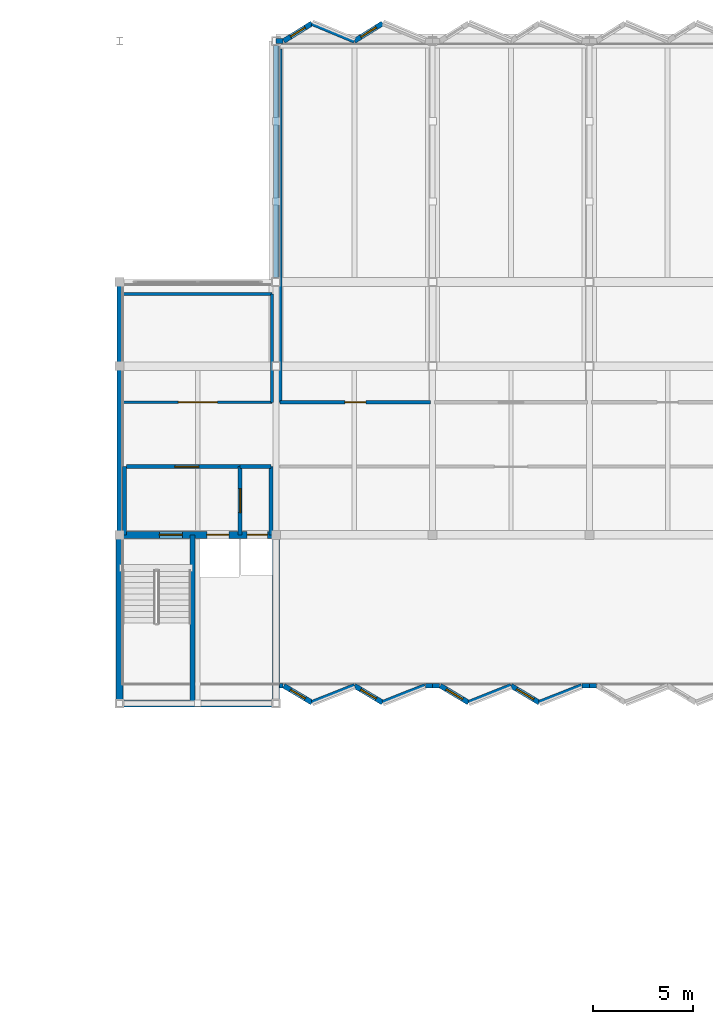
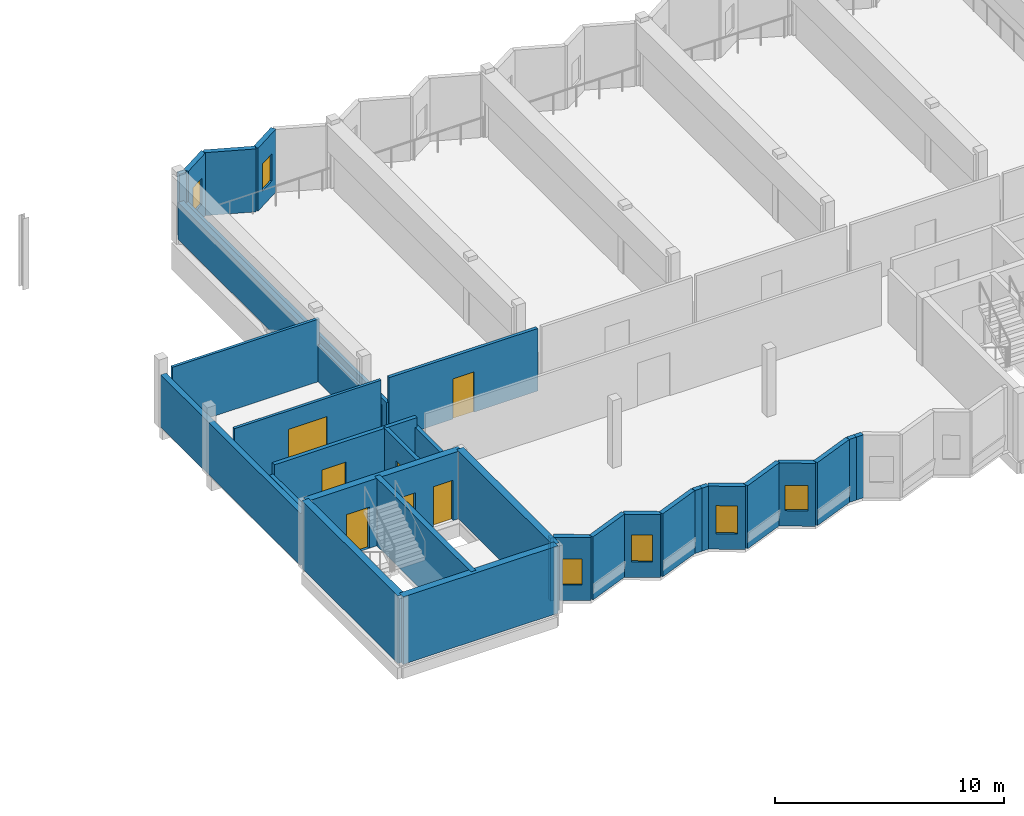
# One storey, part 25 of 34: 34 walls, 7 doors, 6 windows, 13 openings.
"""IFC4 building model written with IfcOpenShell, lengths in metres."""

import ifcopenshell
import ifcopenshell.guid

model = None  # the IFC model being written
_history = None  # IfcOwnerHistory: only IFC2X3 demands one
_inside = {}  # id of a spatial element -> (the spatial element, [elements in it])
_under = {}  # id of a project, library or spatial element -> (it, [spatial elements below it])
_declared = {}  # id of a project -> (the project, [libraries it declares])
_typed = {}  # id of a type object -> (the type object, [elements of that type])
_made_of = {}  # id of a material, layer set ... -> (it, [elements and type objects made of it])


def new_model(schema):
    """Start an empty IFC model of exactly this schema.

    Asked for "IFC4X3", IfcOpenShell would pick the latest addendum, in which some entities
    have other attributes; the version numbers below select the first issue.
    IFC2X3 requires an IfcOwnerHistory on every rooted entity: one is made here for all.
    """
    global model, _history
    if schema == "IFC4X3":
        model = ifcopenshell.file(schema_version=(4, 3, 0, 0))
    else:
        model = ifcopenshell.file(schema=schema)
    _inside.clear()
    _under.clear()
    _declared.clear()
    _typed.clear()
    _made_of.clear()
    _history = None
    if model.schema == "IFC2X3":
        org = make("IfcOrganization", Name="unknown")
        user = make(
            "IfcPersonAndOrganization",
            ThePerson=make("IfcPerson", FamilyName="unknown"),
            TheOrganization=org,
        )
        app = make(
            "IfcApplication",
            ApplicationDeveloper=org,
            Version="unknown",
            ApplicationFullName="unknown",
            ApplicationIdentifier="unknown",
        )
        _history = make(
            "IfcOwnerHistory",
            OwningUser=user,
            OwningApplication=app,
            ChangeAction="ADDED",
            CreationDate=0,
        )
    return model


def make(cls, **values):
    """One entity of the class cls with the attributes given. An attribute that is None is left unset."""
    return model.create_entity(
        cls, **{name: value for name, value in values.items() if value is not None}
    )


def rooted(cls, **values):
    """An entity with a GlobalId (a new one), such as an element, a storey or a relation."""
    return make(cls, GlobalId=ifcopenshell.guid.new(), OwnerHistory=_history, **values)


def si_unit(unit_type, name, prefix=None):
    """IfcSIUnit, for example si_unit("LENGTHUNIT", "METRE", prefix="MILLI")."""
    return make("IfcSIUnit", UnitType=unit_type, Prefix=prefix, Name=name)


def assignment(units):
    """IfcUnitAssignment: the units of a project."""
    return None if units is None else make("IfcUnitAssignment", Units=units)


def point(xyz):
    """IfcCartesianPoint."""
    return None if xyz is None else make("IfcCartesianPoint", Coordinates=xyz)


def direction(xyz):
    """IfcDirection."""
    return None if xyz is None else make("IfcDirection", DirectionRatios=xyz)


def frame(location, z_axis=None, x_axis=None):
    """IfcAxis2Placement3D, a coordinate frame: its origin and axes. An axis left out is left unset."""
    return make(
        "IfcAxis2Placement3D",
        Location=point(location),
        Axis=direction(z_axis),
        RefDirection=direction(x_axis),
    )


def frame_2d(location, x_axis=None):
    """IfcAxis2Placement2D, a coordinate frame in the plane: its origin and x axis."""
    return make(
        "IfcAxis2Placement2D", Location=point(location), RefDirection=direction(x_axis)
    )


def origin():
    """The frame at (0, 0, 0) with its axes left unset."""
    return frame((0.0, 0.0, 0.0))


def place(relative_to, where):
    """IfcLocalPlacement: puts the frame where relative to a parent placement (None: the world)."""
    return make(
        "IfcLocalPlacement", PlacementRelTo=relative_to, RelativePlacement=where
    )


def context(
    kind, dimensions, precision=None, world=None, true_north=None, identifier=None
):
    """IfcGeometricRepresentationContext, for example the 3D "Model" context."""
    return make(
        "IfcGeometricRepresentationContext",
        ContextIdentifier=identifier,
        ContextType=kind,
        CoordinateSpaceDimension=dimensions,
        Precision=precision,
        WorldCoordinateSystem=world,
        TrueNorth=true_north,
    )


def subcontext(parent, identifier, kind, view, scale=None):
    """IfcGeometricRepresentationSubContext, for example "Body" below "Model"."""
    return make(
        "IfcGeometricRepresentationSubContext",
        ContextIdentifier=identifier,
        ContextType=kind,
        ParentContext=parent,
        TargetScale=scale,
        TargetView=view,
    )


def project(units=None, contexts=None):
    """IfcProject with its units and contexts."""
    return rooted(
        "IfcProject",
        Name="project",
        RepresentationContexts=contexts,
        UnitsInContext=assignment(units),
    )


def spatial(cls, under=None, at=None, **own):
    """A site, building, storey or space (cls), placed at a placement, below another one or the project."""
    s = rooted(cls, ObjectPlacement=at, **own)
    if under is not None:
        _under.setdefault(under.id(), (under, []))[1].append(s)
    return s


def profile(cls, at=None, kind="AREA", **sizes):
    """A parametric profile (cls). Its sizes go by their IFC names, for example OverallWidth=200.0."""
    return make(cls, ProfileType=kind, Position=at, **sizes)


def rectangle(**sizes):
    """IfcRectangleProfileDef."""
    return profile("IfcRectangleProfileDef", **sizes)


def extrude(swept, where, along, depth):
    """IfcExtrudedAreaSolid: the profile swept, set in the frame where, extruded along a direction by depth."""
    return make(
        "IfcExtrudedAreaSolid",
        SweptArea=swept,
        Position=where,
        ExtrudedDirection=direction(along),
        Depth=depth,
    )


def shape(context_of_items, identifier, shape_type, items):
    """IfcShapeRepresentation: the items that make up one representation, for example the "Body"."""
    return make(
        "IfcShapeRepresentation",
        ContextOfItems=context_of_items,
        RepresentationIdentifier=identifier,
        RepresentationType=shape_type,
        Items=items,
    )


def material(Name=None, Category=None):
    """IfcMaterial."""
    return make("IfcMaterial", Name=Name, Category=Category)


def layer(
    of_material, thickness, ventilated=None, Name=None, Category=None, Priority=None
):
    """IfcMaterialLayer: one layer of a wall or slab, of a material (None: an air gap)."""
    return make(
        "IfcMaterialLayer",
        Material=of_material,
        LayerThickness=thickness,
        IsVentilated=ventilated,
        Name=Name,
        Category=Category,
        Priority=Priority,
    )


def layer_set(layers, Name=None):
    """IfcMaterialLayerSet."""
    return make("IfcMaterialLayerSet", MaterialLayers=layers, LayerSetName=Name)


def made_of(thing, what):
    """Note that an element or type object is made of a material, layer set ...; save() writes the relation."""
    if what is not None:
        _made_of.setdefault(what.id(), (what, []))[1].append(thing)
    return thing


def type_object(cls, material=None, **own):
    """A type object (cls), such as IfcWallType, which elements share."""
    return made_of(rooted(cls, **own), material)


def element(
    cls,
    number,
    at=None,
    inside=None,
    cuts=None,
    type_object=None,
    material=None,
    context=None,
    identifier="Body",
    shape_type=None,
    held_by="IfcProductDefinitionShape",
    body=None,
    shapes=None,
    **own,
):
    """One element of the class cls, such as IfcWall. Its Tag is "e" and its number.

    at: its placement. inside: the storey or other place that contains it. cuts: it is an
    opening in that element (IfcRelVoidsElement). A single representation is given by context,
    identifier, shape_type and body (its items); several are given by shapes. held_by: the class
    of the entity that holds the representations. save() writes the other relations.
    """
    e = rooted(cls, Tag="e%d" % number, ObjectPlacement=at, **own)
    if body is not None:
        shapes = [shape(context, identifier, shape_type, body)]
    if shapes is not None:
        e.Representation = make(held_by, Representations=shapes)
    if inside is not None:
        _inside.setdefault(inside.id(), (inside, []))[1].append(e)
    if cuts is not None:
        rooted(
            "IfcRelVoidsElement", RelatingBuildingElement=cuts, RelatedOpeningElement=e
        )
    if type_object is not None:
        _typed.setdefault(type_object.id(), (type_object, []))[1].append(e)
    return made_of(e, material)


def fill(opening, filler):
    """IfcRelFillsElement: the door or window that sits in an opening."""
    return rooted(
        "IfcRelFillsElement",
        RelatingOpeningElement=opening,
        RelatedBuildingElement=filler,
    )


def aggregate(whole, parts):
    """IfcRelAggregates: a whole, such as a stair, and the parts it consists of."""
    return rooted("IfcRelAggregates", RelatingObject=whole, RelatedObjects=parts)


def save(model, path):
    """Write the relations noted so far, then the file.

    IfcRelAggregates (storeys below a building ...), IfcRelContainedInSpatialStructure (elements
    in a storey), IfcRelDefinesByType, IfcRelAssociatesMaterial and IfcRelDeclares: one each for
    every whole, place, type object, material and project.
    """
    for whole, parts in _under.values():
        aggregate(whole, parts)
    for where, things in _inside.values():
        rooted(
            "IfcRelContainedInSpatialStructure",
            RelatedElements=things,
            RelatingStructure=where,
        )
    for kind, things in _typed.values():
        rooted("IfcRelDefinesByType", RelatedObjects=things, RelatingType=kind)
    for what, things in _made_of.values():
        rooted("IfcRelAssociatesMaterial", RelatedObjects=things, RelatingMaterial=what)
    for by, libraries in _declared.values():
        rooted("IfcRelDeclares", RelatingContext=by, RelatedDefinitions=libraries)
    model.write(path)


model = new_model("IFC4")

# Units and contexts
model_context = context("Model", 3, precision=1e-05, world=origin(), true_north=direction((0.0, 1.0)))
body_context = subcontext(model_context, "Body", "Model", "MODEL_VIEW")
ifc_project = project(units=[si_unit("LENGTHUNIT", "METRE"), si_unit("AREAUNIT", "SQUARE_METRE"), si_unit("VOLUMEUNIT", "CUBIC_METRE"), si_unit("PLANEANGLEUNIT", "RADIAN"), si_unit("MASSUNIT", "GRAM", prefix="KILO")], contexts=[model_context])

# Site, building, storey
site_placement = place(None, origin())
site = spatial("IfcSite", under=ifc_project, at=site_placement, CompositionType="ELEMENT")
building_placement = place(site_placement, origin())
building = spatial("IfcBuilding", under=site, at=building_placement, Name="Vharandega Faculty of Natural Sciences", CompositionType="ELEMENT")
storey_placement = place(building_placement, frame((0.0, 0.0, 21.60009765625)))
storey = spatial("IfcBuildingStorey", under=building, at=storey_placement, Name="L05", CompositionType="ELEMENT", Elevation=21.60009765625)

# Walls
ifc_material_1 = material(Name="Concrete C40/50", Category="concrete")
ifc_layer_1 = layer(ifc_material_1, 0.35009765625, Name="Concrete C40/50")
ifc_layer_set_1 = layer_set([ifc_layer_1], Name="Concrete C40/50")
wall_type_1 = type_object("IfcWallType", Name="Core Shear Wall 350", PredefinedType="SHEAR", material=ifc_layer_set_1)
wall_1_placement = place(storey_placement, frame((114.800048828125, 64.0, 0.0), z_axis=(0.0, 0.0, 1.0), x_axis=(1.0, 0.0, 0.0)))
element("IfcWall", 1, at=wall_1_placement, inside=storey, type_object=wall_type_1, Name="Interior Wall CW-C1-L05-S", PredefinedType="SHEAR", context=body_context, shape_type="SweptSolid", body=[
    extrude(rectangle(XDim=7.800048828125, YDim=0.35009765625, at=frame_2d((3.89990234375, 0.0))), origin(), (0.0, 0.0, 1.0), 3.599853515625),
])
for number, where, z_axis, x_axis, name in (
    (2, (114.800048828125, 64.0, 0.0), (0.0, 0.0, 1.0), (0.0, 1.0, 0.0), "Interior Wall CW-C1-L05-W"),
    (3, (122.60009765625, 64.0, 0.0), (0.0, 0.0, 1.0), (0.0, 1.0, 0.0), "Interior Wall CW-C1-L05-E"),
):
    element("IfcWall", number, at=place(storey_placement, frame(where, z_axis=z_axis, x_axis=x_axis)), inside=storey, type_object=wall_type_1, Name=name, PredefinedType="SHEAR", context=body_context, shape_type="SweptSolid", body=[
        extrude(rectangle(XDim=8.39990234375, YDim=0.35009765625, at=frame_2d((4.199951171875, 0.0))), origin(), (0.0, 0.0, 1.0), 3.599853515625),
    ])

# Wall, openings, doors
wall_2_placement = place(storey_placement, frame((114.800048828125, 72.39990234375, 0.0), z_axis=(0.0, 0.0, 1.0), x_axis=(1.0, 0.0, 0.0)))
wall_2 = element("IfcWall", 4, at=wall_2_placement, inside=storey, type_object=wall_type_1, Name="Interior Wall CW-C1-L05-N", PredefinedType="SHEAR", context=body_context, shape_type="SweptSolid", body=[
    extrude(rectangle(XDim=7.800048828125, YDim=0.35009765625, at=frame_2d((3.89990234375, 0.0))), origin(), (0.0, 0.0, 1.0), 3.599853515625),
])
opening_1_placement = place(wall_2_placement, frame((1.97998046875, 0.0, 0.0)))
opening_1 = element("IfcOpeningElement", 5, at=opening_1_placement, cuts=wall_2, Name="Opening FD1", PredefinedType="OPENING", context=body_context, shape_type="SweptSolid", body=[
    extrude(rectangle(XDim=1.14990234375, YDim=2.199951171875, at=frame_2d((0.574951171875, 1.10009765625))), frame((0.0, 0.18505859375, 0.0), z_axis=(0.0, -1.0, 0.0), x_axis=(1.0, 0.0, 0.0)), (0.0, 0.0, 1.0), 0.3701171875),
])
opening_2_placement = place(wall_2_placement, frame((4.35009765625, 0.0, 0.0)))
opening_2 = element("IfcOpeningElement", 6, at=opening_2_placement, cuts=wall_2, Name="Opening LD-FL1-L05", PredefinedType="OPENING", context=body_context, shape_type="SweptSolid", body=[
    extrude(rectangle(XDim=1.10009765625, YDim=2.14990234375, at=frame_2d((0.550048828125, 1.074951171875))), frame((0.0, 0.18505859375, 0.0), z_axis=(0.0, -1.0, 0.0), x_axis=(1.0, 0.0, 0.0)), (0.0, 0.0, 1.0), 0.3701171875),
])
opening_3_placement = place(wall_2_placement, frame((6.360107421875, 0.0, 0.0)))
opening_3 = element("IfcOpeningElement", 7, at=opening_3_placement, cuts=wall_2, Name="Opening LD-LP1-L05", PredefinedType="OPENING", context=body_context, shape_type="SweptSolid", body=[
    extrude(rectangle(XDim=1.0, YDim=2.14990234375, at=frame_2d((0.5, 1.074951171875))), frame((0.0, 0.18505859375, 0.0), z_axis=(0.0, -1.0, 0.0), x_axis=(1.0, 0.0, 0.0)), (0.0, 0.0, 1.0), 0.3701171875),
])
ifc_material_2 = material(Name="Solid-core hardwood timber fire door", Category="wood")
door_type_1 = type_object("IfcDoorType", Name="FD1-STAIR-1150x2200", OperationType="NOTDEFINED", PredefinedType="DOOR", material=ifc_material_2)
door_1_placement = place(opening_1_placement, origin())
door_1 = element("IfcDoor", 8, at=door_1_placement, inside=storey, type_object=door_type_1, Name="Stair ST1 Fire Door FD1", OperationType="SINGLE_SWING_LEFT", OverallHeight=2.199951171875, OverallWidth=1.14990234375, PredefinedType="DOOR", context=body_context, shape_type="SweptSolid", body=[
    extrude(rectangle(XDim=1.14990234375, YDim=2.199951171875, at=frame_2d((0.574951171875, 1.10009765625))), frame((0.0, 0.02490234375, 0.0), z_axis=(0.0, -1.0, 0.0), x_axis=(1.0, 0.0, 0.0)), (0.0, 0.0, 1.0), 0.050048828125),
])
fill(opening_1, door_1)
ifc_material_3 = material(Name="Brushed stainless steel sliding landing door", Category="steel")
door_type_2 = type_object("IfcDoorType", Name="LD1-FFLIFT-SLIDING-1100x2150", OperationType="DOUBLE_DOOR_SLIDING", PredefinedType="DOOR", material=ifc_material_3)
door_2_placement = place(opening_2_placement, origin())
door_2 = element("IfcDoor", 9, at=door_2_placement, inside=storey, type_object=door_type_2, Name="Lift Landing Door LD-FL1-L05", OperationType="DOUBLE_DOOR_SLIDING", OverallHeight=2.14990234375, OverallWidth=1.10009765625, PredefinedType="DOOR", context=body_context, shape_type="SweptSolid", body=[
    extrude(rectangle(XDim=1.10009765625, YDim=2.14990234375, at=frame_2d((0.550048828125, 1.074951171875))), frame((0.0, 0.02490234375, 0.0), z_axis=(0.0, -1.0, 0.0), x_axis=(1.0, 0.0, 0.0)), (0.0, 0.0, 1.0), 0.050048828125),
])
fill(opening_2, door_2)
ifc_material_4 = material(Name="Brushed stainless steel sliding landing door", Category="steel")
door_type_3 = type_object("IfcDoorType", Name="LD2-PAXLIFT-SLIDING-1000x2150", OperationType="DOUBLE_DOOR_SLIDING", PredefinedType="DOOR", material=ifc_material_4)
door_3_placement = place(opening_3_placement, origin())
door_3 = element("IfcDoor", 10, at=door_3_placement, inside=storey, type_object=door_type_3, Name="Lift Landing Door LD-LP1-L05", OperationType="DOUBLE_DOOR_SLIDING", OverallHeight=2.14990234375, OverallWidth=1.0, PredefinedType="DOOR", context=body_context, shape_type="SweptSolid", body=[
    extrude(rectangle(XDim=1.0, YDim=2.14990234375, at=frame_2d((0.5, 1.074951171875))), frame((0.0, 0.02490234375, 0.0), z_axis=(0.0, -1.0, 0.0), x_axis=(1.0, 0.0, 0.0)), (0.0, 0.0, 1.0), 0.050048828125),
])
fill(opening_3, door_3)

# Wall, opening, door
ifc_material_5 = material(Name="Concrete C40/50", Category="concrete")
ifc_layer_2 = layer(ifc_material_5, 0.199951171875, Name="Concrete C40/50")
ifc_layer_set_2 = layer_set([ifc_layer_2], Name="Concrete C40/50")
wall_type_2 = type_object("IfcWallType", Name="Firefighting Lobby Wall 200", PredefinedType="PARTITIONING", material=ifc_layer_set_2)
wall_3_placement = place(storey_placement, frame((115.14990234375, 75.800048828125, 0.0), z_axis=(0.0, 0.0, 1.0), x_axis=(1.0, 0.0, 0.0)))
wall_3 = element("IfcWall", 11, at=wall_3_placement, inside=storey, type_object=wall_type_2, Name="Interior Wall PW-FFL-C1-L05-N", PredefinedType="PARTITIONING", context=body_context, shape_type="SweptSolid", body=[
    extrude(rectangle(XDim=5.650146484375, YDim=0.199951171875, at=frame_2d((2.8251953125, 0.0))), origin(), (0.0, 0.0, 1.0), 3.31982421875),
])
opening_4_placement = place(wall_3_placement, frame((2.39990234375, 0.0, 0.0)))
opening_4 = element("IfcOpeningElement", 12, at=opening_4_placement, cuts=wall_3, Name="Opening FD2", PredefinedType="OPENING", context=body_context, shape_type="SweptSolid", body=[
    extrude(rectangle(XDim=1.199951171875, YDim=2.199951171875, at=frame_2d((0.60009765625, 1.10009765625))), frame((0.0, 0.10986328125, 0.0), z_axis=(0.0, -1.0, 0.0), x_axis=(1.0, 0.0, 0.0)), (0.0, 0.0, 1.0), 0.219970703125),
])
ifc_material_6 = material(Name="Solid-core hardwood timber fire door", Category="wood")
door_type_4 = type_object("IfcDoorType", Name="FD2-FFLOBBY-1200x2200", OperationType="NOTDEFINED", PredefinedType="DOOR", material=ifc_material_6)
door_4_placement = place(opening_4_placement, origin())
door_4 = element("IfcDoor", 13, at=door_4_placement, inside=storey, type_object=door_type_4, Name="Firefighting Lobby C1 Door FD2", OperationType="SINGLE_SWING_LEFT", OverallHeight=2.199951171875, OverallWidth=1.199951171875, PredefinedType="DOOR", context=body_context, shape_type="SweptSolid", body=[
    extrude(rectangle(XDim=1.199951171875, YDim=2.199951171875, at=frame_2d((0.60009765625, 1.10009765625))), frame((0.0, 0.02490234375, 0.0), z_axis=(0.0, -1.0, 0.0), x_axis=(1.0, 0.0, 0.0)), (0.0, 0.0, 1.0), 0.050048828125),
])
fill(opening_4, door_4)

# Wall
wall_4_placement = place(storey_placement, frame((115.050048828125, 72.39990234375, 0.0), z_axis=(0.0, 0.0, 1.0), x_axis=(0.0, 1.0, 0.0)))
element("IfcWall", 14, at=wall_4_placement, inside=storey, type_object=wall_type_2, Name="Interior Wall PW-FFL-C1-L05-W", PredefinedType="PARTITIONING", context=body_context, shape_type="SweptSolid", body=[
    extrude(rectangle(XDim=3.400146484375, YDim=0.199951171875, at=frame_2d((1.7001953125, 0.0))), origin(), (0.0, 0.0, 1.0), 2.77978515625),
])

# Wall, opening, door
wall_5_placement = place(storey_placement, frame((120.800048828125, 72.39990234375, 0.0), z_axis=(0.0, 0.0, 1.0), x_axis=(0.0, 1.0, 0.0)))
wall_5 = element("IfcWall", 15, at=wall_5_placement, inside=storey, type_object=wall_type_2, Name="Interior Wall PW-FFL-C1-L05-E", PredefinedType="PARTITIONING", context=body_context, shape_type="SweptSolid", body=[
    extrude(rectangle(XDim=3.400146484375, YDim=0.199951171875, at=frame_2d((1.7001953125, 0.0))), origin(), (0.0, 0.0, 1.0), 3.31982421875),
])
opening_5_placement = place(wall_5_placement, frame((1.10009765625, 0.0, 0.0)))
opening_5 = element("IfcOpeningElement", 16, at=opening_5_placement, cuts=wall_5, Name="Opening FD2", PredefinedType="OPENING", context=body_context, shape_type="SweptSolid", body=[
    extrude(rectangle(XDim=1.199951171875, YDim=2.199951171875, at=frame_2d((0.60009765625, 1.10009765625))), frame((0.0, 0.10986328125, 0.0), z_axis=(0.0, -1.0, 0.0), x_axis=(1.0, 0.0, 0.0)), (0.0, 0.0, 1.0), 0.219970703125),
])
door_5_placement = place(opening_5_placement, origin())
door_5 = element("IfcDoor", 17, at=door_5_placement, inside=storey, type_object=door_type_4, Name="Lobby Interconnect C1 Door FD2", OperationType="SINGLE_SWING_RIGHT", OverallHeight=2.199951171875, OverallWidth=1.199951171875, PredefinedType="DOOR", context=body_context, shape_type="SweptSolid", body=[
    extrude(rectangle(XDim=1.199951171875, YDim=2.199951171875, at=frame_2d((0.60009765625, 1.10009765625))), frame((0.0, 0.02490234375, 0.0), z_axis=(0.0, -1.0, 0.0), x_axis=(1.0, 0.0, 0.0)), (0.0, 0.0, 1.0), 0.050048828125),
])
fill(opening_5, door_5)

# Walls
wall_6_placement = place(storey_placement, frame((120.800048828125, 75.800048828125, 0.0), z_axis=(0.0, 0.0, 1.0), x_axis=(1.0, 0.0, 0.0)))
element("IfcWall", 18, at=wall_6_placement, inside=storey, type_object=wall_type_2, Name="Interior Wall PW-LL-C1-L05-N", PredefinedType="PARTITIONING", context=body_context, shape_type="SweptSolid", body=[
    extrude(rectangle(XDim=1.550048828125, YDim=0.199951171875, at=frame_2d((0.77490234375, 0.0))), origin(), (0.0, 0.0, 1.0), 3.31982421875),
])
wall_7_placement = place(storey_placement, frame((122.35009765625, 72.39990234375, 0.0), z_axis=(0.0, 0.0, 1.0), x_axis=(0.0, 1.0, 0.0)))
element("IfcWall", 19, at=wall_7_placement, inside=storey, type_object=wall_type_2, Name="Interior Wall PW-LL-C1-L05-E", PredefinedType="PARTITIONING", context=body_context, shape_type="SweptSolid", body=[
    extrude(rectangle(XDim=3.400146484375, YDim=0.199951171875, at=frame_2d((1.7001953125, 0.0))), origin(), (0.0, 0.0, 1.0), 2.81982421875),
])

# Wall, opening, door
ifc_material_7 = material(Name="Gypsum fire-board on steel stud", Category="steel")
ifc_layer_3 = layer(ifc_material_7, 0.159912109375, Name="Gypsum fire-board on steel stud")
ifc_layer_set_3 = layer_set([ifc_layer_3], Name="Gypsum fire-board on steel stud")
wall_type_3 = type_object("IfcWallType", Name="Laboratory Fire Corridor Wall 160", PredefinedType="PARTITIONING", material=ifc_layer_set_3)
wall_8_placement = place(storey_placement, frame((122.800048828125, 79.0, 0.0), z_axis=(0.0, 0.0, 1.0), x_axis=(1.0, 0.0, 0.0)))
wall_8 = element("IfcWall", 20, at=wall_8_placement, inside=storey, type_object=wall_type_3, Name="Interior Wall PW-L05-R11S", PredefinedType="PARTITIONING", context=body_context, shape_type="SweptSolid", body=[
    extrude(rectangle(XDim=7.5, YDim=0.159912109375, at=frame_2d((3.75, 0.0))), origin(), (0.0, 0.0, 1.0), 3.33984375),
])
opening_6_placement = place(wall_8_placement, frame((3.22509765625, 0.0, 0.0)))
opening_6 = element("IfcOpeningElement", 21, at=opening_6_placement, cuts=wall_8, Name="Opening FD4", PredefinedType="OPENING", context=body_context, shape_type="SweptSolid", body=[
    extrude(rectangle(XDim=1.050048828125, YDim=2.14990234375, at=frame_2d((0.52490234375, 1.074951171875))), frame((0.0, 0.08984375, 0.0), z_axis=(0.0, -1.0, 0.0), x_axis=(1.0, 0.0, 0.0)), (0.0, 0.0, 1.0), 0.179931640625),
])
ifc_material_8 = material(Name="Solid-core hardwood timber fire door", Category="wood")
door_type_5 = type_object("IfcDoorType", Name="FD4-LAB-SGL-1050x2150", OperationType="NOTDEFINED", PredefinedType="DOOR", material=ifc_material_8)
door_6_placement = place(opening_6_placement, origin())
door_6 = element("IfcDoor", 22, at=door_6_placement, inside=storey, type_object=door_type_5, Name="Preparative Organic Chemistry Research Laboratory Door FD4", OperationType="SINGLE_SWING_LEFT", OverallHeight=2.14990234375, OverallWidth=1.050048828125, PredefinedType="DOOR", context=body_context, shape_type="SweptSolid", body=[
    extrude(rectangle(XDim=1.050048828125, YDim=2.14990234375, at=frame_2d((0.52490234375, 1.074951171875))), frame((0.0, 0.02490234375, 0.0), z_axis=(0.0, -1.0, 0.0), x_axis=(1.0, 0.0, 0.0)), (0.0, 0.0, 1.0), 0.050048828125),
])
fill(opening_6, door_6)

# Walls
wall_9_placement = place(storey_placement, frame((122.800048828125, 79.0, 0.0), z_axis=(0.0, 0.0, 1.0), x_axis=(0.0, 1.0, 0.0)))
element("IfcWall", 23, at=wall_9_placement, inside=storey, type_object=wall_type_3, Name="Interior Wall PW-L05-R11W", PredefinedType="PARTITIONING", context=body_context, shape_type="SweptSolid", body=[
    extrude(rectangle(XDim=17.60009765625, YDim=0.159912109375, at=frame_2d((8.800048828125, 0.0))), origin(), (0.0, 0.0, 1.0), 1.97998046875),
])
ifc_material_9 = material(Name="Concrete C40/50", Category="concrete")
ifc_layer_4 = layer(ifc_material_9, 0.260009765625, Name="Concrete C40/50")
ifc_layer_set_4 = layer_set([ifc_layer_4], Name="Concrete C40/50")
wall_type_4 = type_object("IfcWallType", Name="Lift Shaft Shear Wall 260", PredefinedType="SHEAR", material=ifc_layer_set_4)
wall_10_placement = place(storey_placement, frame((118.43994140625, 64.0, 0.0), z_axis=(0.0, 0.0, 1.0), x_axis=(0.0, 1.0, 0.0)))
element("IfcWall", 24, at=wall_10_placement, inside=storey, type_object=wall_type_4, Name="Interior Wall CW-C1-L05-DIV", PredefinedType="SHEAR", context=body_context, shape_type="SweptSolid", body=[
    extrude(rectangle(XDim=8.39990234375, YDim=0.260009765625, at=frame_2d((4.199951171875, 0.0))), origin(), (0.0, 0.0, 1.0), 3.599853515625),
])

# Wall, opening, door
ifc_material_10 = material(Name="Gypsum acoustic partition", Category="gypsum")
ifc_layer_5 = layer(ifc_material_10, 0.139892578125, Name="Gypsum acoustic partition")
ifc_layer_set_5 = layer_set([ifc_layer_5], Name="Gypsum acoustic partition")
wall_type_5 = type_object("IfcWallType", Name="Room Partition Wall 140", PredefinedType="PARTITIONING", material=ifc_layer_set_5)
wall_11_placement = place(storey_placement, frame((115.0, 79.0, 0.0), z_axis=(0.0, 0.0, 1.0), x_axis=(1.0, 0.0, 0.0)))
wall_11 = element("IfcWall", 25, at=wall_11_placement, inside=storey, type_object=wall_type_5, Name="Interior Wall PW-L05-R05S", PredefinedType="PARTITIONING", context=body_context, shape_type="SweptSolid", body=[
    extrude(rectangle(XDim=7.39990234375, YDim=0.139892578125, at=frame_2d((3.699951171875, 0.0))), origin(), (0.0, 0.0, 1.0), 3.33984375),
])
opening_7_placement = place(wall_11_placement, frame((2.72509765625, 0.0, 0.0)))
opening_7 = element("IfcOpeningElement", 26, at=opening_7_placement, cuts=wall_11, Name="Opening D0311", PredefinedType="OPENING", context=body_context, shape_type="SweptSolid", body=[
    extrude(rectangle(XDim=1.949951171875, YDim=2.35009765625, at=frame_2d((0.97509765625, 1.175048828125))), frame((0.0, 0.080078125, 0.0), z_axis=(0.0, -1.0, 0.0), x_axis=(1.0, 0.0, 0.0)), (0.0, 0.0, 1.0), 0.159912109375),
])
ifc_material_11 = material(Name="Solid-core hardwood timber fire door", Category="wood")
door_type_6 = type_object("IfcDoorType", Name="ID10-WORKSHOP-DBL-1950x2350", OperationType="DOUBLE_DOOR_SINGLE_SWING", PredefinedType="DOOR", material=ifc_material_11)
door_7_placement = place(opening_7_placement, origin())
door_7 = element("IfcDoor", 27, at=door_7_placement, inside=storey, type_object=door_type_6, Name="Organic Synthesis Instrument Prep Room Door D0311", OperationType="DOUBLE_DOOR_SINGLE_SWING", OverallHeight=2.35009765625, OverallWidth=1.949951171875, PredefinedType="DOOR", context=body_context, shape_type="SweptSolid", body=[
    extrude(rectangle(XDim=1.949951171875, YDim=2.35009765625, at=frame_2d((0.97509765625, 1.175048828125))), frame((0.0, 0.02490234375, 0.0), z_axis=(0.0, -1.0, 0.0), x_axis=(1.0, 0.0, 0.0)), (0.0, 0.0, 1.0), 0.050048828125),
])
fill(opening_7, door_7)

# Walls
wall_12_placement = place(storey_placement, frame((115.0, 84.39990234375, 0.0), z_axis=(0.0, 0.0, 1.0), x_axis=(1.0, 0.0, 0.0)))
element("IfcWall", 28, at=wall_12_placement, inside=storey, type_object=wall_type_5, Name="Interior Wall PW-L05-R05N", PredefinedType="PARTITIONING", context=body_context, shape_type="SweptSolid", body=[
    extrude(rectangle(XDim=7.39990234375, YDim=0.139892578125, at=frame_2d((3.699951171875, 0.0))), origin(), (0.0, 0.0, 1.0), 3.33984375),
])
wall_13_placement = place(storey_placement, frame((122.39990234375, 79.0, 0.0), z_axis=(0.0, 0.0, 1.0), x_axis=(0.0, 1.0, 0.0)))
element("IfcWall", 29, at=wall_13_placement, inside=storey, type_object=wall_type_5, Name="Interior Wall PW-L05-R05E", PredefinedType="PARTITIONING", context=body_context, shape_type="SweptSolid", body=[
    extrude(rectangle(XDim=5.39990234375, YDim=0.139892578125, at=frame_2d((2.699951171875, 0.0))), origin(), (0.0, 0.0, 1.0), 1.97998046875),
])

# Wall, opening, window
ifc_material_12 = material(Name="Precast concrete C40/50", Category="concrete")
ifc_layer_6 = layer(ifc_material_12, 0.25, Name="Precast concrete C40/50")
ifc_layer_set_6 = layer_set([ifc_layer_6], Name="Precast concrete C40/50")
wall_type_6 = type_object("IfcWallType", Name="Sawtooth Glazed-Face Precast Wall 250", PredefinedType="SOLIDWALL", material=ifc_layer_set_6)
wall_14_placement = place(storey_placement, frame((122.97998046875, 97.0, 0.0), z_axis=(0.0, 0.0, 1.0), x_axis=(0.848023086369, 0.529959286158, 0.0)))
wall_14 = element("IfcWall", 30, at=wall_14_placement, inside=storey, type_object=wall_type_6, Name="Exterior Wall EW-SAW-L05-N01G", PredefinedType="SOLIDWALL", context=body_context, shape_type="SweptSolid", body=[
    extrude(rectangle(XDim=1.660400390625, YDim=0.25, at=frame_2d((0.830078125, 0.0))), origin(), (0.0, 0.0, 1.0), 3.35986328125),
])
opening_8_placement = place(wall_14_placement, frame((0.4052734375, 0.0, 0.820068359375)))
opening_8 = element("IfcOpeningElement", 31, at=opening_8_placement, cuts=wall_14, Name="Opening WN-02", PredefinedType="OPENING", context=body_context, shape_type="SweptSolid", body=[
    extrude(rectangle(XDim=0.85009765625, YDim=1.39990234375, at=frame_2d((0.425048828125, 0.699951171875))), frame((0.0, 0.135009765625, 0.0), z_axis=(0.0, -1.0, 0.0), x_axis=(1.0, 0.0, 0.0)), (0.0, 0.0, 1.0), 0.27001953125),
])
ifc_material_13 = material(Name="Double-glazed solar-control glass in thermally broken aluminium frame", Category="aluminium")
window_type_1 = type_object("IfcWindowType", Name="WIN-SAW-085x140", PartitioningType="SINGLE_PANEL", PredefinedType="WINDOW", material=ifc_material_13)
window_1_placement = place(opening_8_placement, origin())
window_1 = element("IfcWindow", 32, at=window_1_placement, inside=storey, type_object=window_type_1, Name="Window WIN-L05-0009", OverallHeight=1.39990234375, OverallWidth=0.85009765625, PartitioningType="SINGLE_PANEL", PredefinedType="WINDOW", context=body_context, shape_type="SweptSolid", body=[
    extrude(rectangle(XDim=0.85009765625, YDim=1.39990234375, at=frame_2d((0.425048828125, 0.699951171875))), frame((0.0, 0.030029296875, 0.0), z_axis=(0.0, -1.0, 0.0), x_axis=(1.0, 0.0, 0.0)), (0.0, 0.0, 1.0), 0.06005859375),
])
fill(opening_8, window_1)

wall_15_placement = place(storey_placement, frame((126.5, 97.0, 0.0), z_axis=(0.0, 0.0, 1.0), x_axis=(0.848023086369, 0.529959286158, 0.0)))
wall_15 = element("IfcWall", 33, at=wall_15_placement, inside=storey, type_object=wall_type_6, Name="Exterior Wall EW-SAW-L05-N02G", PredefinedType="SOLIDWALL", context=body_context, shape_type="SweptSolid", body=[
    extrude(rectangle(XDim=1.660400390625, YDim=0.25, at=frame_2d((0.830078125, 0.0))), origin(), (0.0, 0.0, 1.0), 3.35986328125),
])
opening_9_placement = place(wall_15_placement, frame((0.380126953125, 0.0, 0.820068359375)))
opening_9 = element("IfcOpeningElement", 34, at=opening_9_placement, cuts=wall_15, Name="Opening WN-03", PredefinedType="OPENING", context=body_context, shape_type="SweptSolid", body=[
    extrude(rectangle(XDim=0.89990234375, YDim=1.449951171875, at=frame_2d((0.449951171875, 0.72509765625))), frame((0.0, 0.135009765625, 0.0), z_axis=(0.0, -1.0, 0.0), x_axis=(1.0, 0.0, 0.0)), (0.0, 0.0, 1.0), 0.27001953125),
])
ifc_material_14 = material(Name="Double-glazed solar-control glass in thermally broken aluminium frame", Category="aluminium")
window_type_2 = type_object("IfcWindowType", Name="WIN-SAW-090x145", PartitioningType="SINGLE_PANEL", PredefinedType="WINDOW", material=ifc_material_14)
window_2_placement = place(opening_9_placement, origin())
window_2 = element("IfcWindow", 35, at=window_2_placement, inside=storey, type_object=window_type_2, Name="Window WIN-L05-0010", OverallHeight=1.449951171875, OverallWidth=0.89990234375, PartitioningType="SINGLE_PANEL", PredefinedType="WINDOW", context=body_context, shape_type="SweptSolid", body=[
    extrude(rectangle(XDim=0.89990234375, YDim=1.449951171875, at=frame_2d((0.449951171875, 0.72509765625))), frame((0.0, 0.030029296875, 0.0), z_axis=(0.0, -1.0, 0.0), x_axis=(1.0, 0.0, 0.0)), (0.0, 0.0, 1.0), 0.06005859375),
])
fill(opening_9, window_2)

wall_16_placement = place(storey_placement, frame((124.387939453125, 64.0400390625, 0.0), z_axis=(0.0, 0.0, 1.0), x_axis=(-0.858817206091, 0.512282155185, 0.0)))
wall_16 = element("IfcWall", 36, at=wall_16_placement, inside=storey, type_object=wall_type_6, Name="Exterior Wall EW-SAW-L05-S01G", PredefinedType="SOLIDWALL", context=body_context, shape_type="SweptSolid", body=[
    extrude(rectangle(XDim=1.639404296875, YDim=0.25, at=frame_2d((0.81982421875, 0.0))), origin(), (0.0, 0.0, 1.0), 3.35986328125),
])
opening_10_placement = place(wall_16_placement, frame((0.394775390625, 0.0, 0.820068359375)))
opening_10 = element("IfcOpeningElement", 37, at=opening_10_placement, cuts=wall_16, Name="Opening WN-02", PredefinedType="OPENING", context=body_context, shape_type="SweptSolid", body=[
    extrude(rectangle(XDim=0.85009765625, YDim=1.39990234375, at=frame_2d((0.425048828125, 0.699951171875))), frame((0.0, 0.135009765625, 0.0), z_axis=(0.0, -1.0, 0.0), x_axis=(1.0, 0.0, 0.0)), (0.0, 0.0, 1.0), 0.27001953125),
])
window_3_placement = place(opening_10_placement, origin())
window_3 = element("IfcWindow", 38, at=window_3_placement, inside=storey, type_object=window_type_1, Name="Window WIN-L05-0019", OverallHeight=1.39990234375, OverallWidth=0.85009765625, PartitioningType="SINGLE_PANEL", PredefinedType="WINDOW", context=body_context, shape_type="SweptSolid", body=[
    extrude(rectangle(XDim=0.85009765625, YDim=1.39990234375, at=frame_2d((0.425048828125, 0.699951171875))), frame((0.0, 0.030029296875, 0.0), z_axis=(0.0, -1.0, 0.0), x_axis=(1.0, 0.0, 0.0)), (0.0, 0.0, 1.0), 0.06005859375),
])
fill(opening_10, window_3)

wall_17_placement = place(storey_placement, frame((127.907958984375, 64.0400390625, 0.0), z_axis=(0.0, 0.0, 1.0), x_axis=(-0.858817206091, 0.512282155185, 0.0)))
wall_17 = element("IfcWall", 39, at=wall_17_placement, inside=storey, type_object=wall_type_6, Name="Exterior Wall EW-SAW-L05-S02G", PredefinedType="SOLIDWALL", context=body_context, shape_type="SweptSolid", body=[
    extrude(rectangle(XDim=1.639404296875, YDim=0.25, at=frame_2d((0.81982421875, 0.0))), origin(), (0.0, 0.0, 1.0), 3.35986328125),
])
opening_11_placement = place(wall_17_placement, frame((0.369873046875, 0.0, 0.820068359375)))
opening_11 = element("IfcOpeningElement", 40, at=opening_11_placement, cuts=wall_17, Name="Opening WN-03", PredefinedType="OPENING", context=body_context, shape_type="SweptSolid", body=[
    extrude(rectangle(XDim=0.89990234375, YDim=1.449951171875, at=frame_2d((0.449951171875, 0.72509765625))), frame((0.0, 0.135009765625, 0.0), z_axis=(0.0, -1.0, 0.0), x_axis=(1.0, 0.0, 0.0)), (0.0, 0.0, 1.0), 0.27001953125),
])
window_4_placement = place(opening_11_placement, origin())
window_4 = element("IfcWindow", 41, at=window_4_placement, inside=storey, type_object=window_type_2, Name="Window WIN-L05-0020", OverallHeight=1.449951171875, OverallWidth=0.89990234375, PartitioningType="SINGLE_PANEL", PredefinedType="WINDOW", context=body_context, shape_type="SweptSolid", body=[
    extrude(rectangle(XDim=0.89990234375, YDim=1.449951171875, at=frame_2d((0.449951171875, 0.72509765625))), frame((0.0, 0.030029296875, 0.0), z_axis=(0.0, -1.0, 0.0), x_axis=(1.0, 0.0, 0.0)), (0.0, 0.0, 1.0), 0.06005859375),
])
fill(opening_11, window_4)

wall_18_placement = place(storey_placement, frame((132.18798828125, 64.0400390625, 0.0), z_axis=(0.0, 0.0, 1.0), x_axis=(-0.858817206091, 0.512282155185, 0.0)))
wall_18 = element("IfcWall", 42, at=wall_18_placement, inside=storey, type_object=wall_type_6, Name="Exterior Wall EW-SAW-L05-S03G", PredefinedType="SOLIDWALL", context=body_context, shape_type="SweptSolid", body=[
    extrude(rectangle(XDim=1.639404296875, YDim=0.25, at=frame_2d((0.81982421875, 0.0))), origin(), (0.0, 0.0, 1.0), 3.35986328125),
])
opening_12_placement = place(wall_18_placement, frame((0.3447265625, 0.0, 0.820068359375)))
opening_12 = element("IfcOpeningElement", 43, at=opening_12_placement, cuts=wall_18, Name="Opening WN-04", PredefinedType="OPENING", context=body_context, shape_type="SweptSolid", body=[
    extrude(rectangle(XDim=0.949951171875, YDim=1.5, at=frame_2d((0.47509765625, 0.75))), frame((0.0, 0.135009765625, 0.0), z_axis=(0.0, -1.0, 0.0), x_axis=(1.0, 0.0, 0.0)), (0.0, 0.0, 1.0), 0.27001953125),
])
ifc_material_15 = material(Name="Double-glazed solar-control glass in thermally broken aluminium frame", Category="aluminium")
window_type_3 = type_object("IfcWindowType", Name="WIN-SAW-095x150", PartitioningType="SINGLE_PANEL", PredefinedType="WINDOW", material=ifc_material_15)
window_5_placement = place(opening_12_placement, origin())
window_5 = element("IfcWindow", 44, at=window_5_placement, inside=storey, type_object=window_type_3, Name="Window WIN-L05-0021", OverallHeight=1.5, OverallWidth=0.949951171875, PartitioningType="SINGLE_PANEL", PredefinedType="WINDOW", context=body_context, shape_type="SweptSolid", body=[
    extrude(rectangle(XDim=0.949951171875, YDim=1.5, at=frame_2d((0.47509765625, 0.75))), frame((0.0, 0.030029296875, 0.0), z_axis=(0.0, -1.0, 0.0), x_axis=(1.0, 0.0, 0.0)), (0.0, 0.0, 1.0), 0.06005859375),
])
fill(opening_12, window_5)

wall_19_placement = place(storey_placement, frame((135.7080078125, 64.0400390625, 0.0), z_axis=(0.0, 0.0, 1.0), x_axis=(-0.858817206091, 0.512282155185, 0.0)))
wall_19 = element("IfcWall", 45, at=wall_19_placement, inside=storey, type_object=wall_type_6, Name="Exterior Wall EW-SAW-L05-S04G", PredefinedType="SOLIDWALL", context=body_context, shape_type="SweptSolid", body=[
    extrude(rectangle(XDim=1.639404296875, YDim=0.25, at=frame_2d((0.81982421875, 0.0))), origin(), (0.0, 0.0, 1.0), 3.35986328125),
])
opening_13_placement = place(wall_19_placement, frame((0.31982421875, 0.0, 0.820068359375)))
opening_13 = element("IfcOpeningElement", 46, at=opening_13_placement, cuts=wall_19, Name="Opening WN-05", PredefinedType="OPENING", context=body_context, shape_type="SweptSolid", body=[
    extrude(rectangle(XDim=1.0, YDim=1.35009765625, at=frame_2d((0.5, 0.675048828125))), frame((0.0, 0.135009765625, 0.0), z_axis=(0.0, -1.0, 0.0), x_axis=(1.0, 0.0, 0.0)), (0.0, 0.0, 1.0), 0.27001953125),
])
ifc_material_16 = material(Name="Double-glazed solar-control glass in thermally broken aluminium frame", Category="aluminium")
window_type_4 = type_object("IfcWindowType", Name="WIN-SAW-100x135", PartitioningType="SINGLE_PANEL", PredefinedType="WINDOW", material=ifc_material_16)
window_6_placement = place(opening_13_placement, origin())
window_6 = element("IfcWindow", 47, at=window_6_placement, inside=storey, type_object=window_type_4, Name="Window WIN-L05-0022", OverallHeight=1.35009765625, OverallWidth=1.0, PartitioningType="SINGLE_PANEL", PredefinedType="WINDOW", context=body_context, shape_type="SweptSolid", body=[
    extrude(rectangle(XDim=1.0, YDim=1.35009765625, at=frame_2d((0.5, 0.675048828125))), frame((0.0, 0.030029296875, 0.0), z_axis=(0.0, -1.0, 0.0), x_axis=(1.0, 0.0, 0.0)), (0.0, 0.0, 1.0), 0.06005859375),
])
fill(opening_13, window_6)

# Walls
ifc_material_17 = material(Name="Precast concrete C40/50", Category="concrete")
ifc_layer_7 = layer(ifc_material_17, 0.22998046875, Name="Precast concrete C40/50")
ifc_layer_set_7 = layer_set([ifc_layer_7], Name="Precast concrete C40/50")
wall_type_7 = type_object("IfcWallType", Name="Sawtooth Solid White Precast Wall 230", PredefinedType="SOLIDWALL", material=ifc_layer_set_7)
wall_20_placement = place(storey_placement, frame((122.60009765625, 97.0, 0.0), z_axis=(0.0, 0.0, 1.0), x_axis=(1.0, 0.0, 0.0)))
element("IfcWall", 48, at=wall_20_placement, inside=storey, type_object=wall_type_7, Name="Exterior Wall EW-SHL-L05-N16L", PredefinedType="SOLIDWALL", context=body_context, shape_type="SweptSolid", body=[
    extrude(rectangle(XDim=0.349853515625, YDim=0.22998046875, at=frame_2d((0.1748046875, 0.0))), origin(), (0.0, 0.0, 1.0), 3.35986328125),
])
wall_21_placement = place(storey_placement, frame((122.949951171875, 64.8798828125, 0.0), z_axis=(0.0, 0.0, 1.0), x_axis=(-1.0, 0.0, 0.0)))
element("IfcWall", 49, at=wall_21_placement, inside=storey, type_object=wall_type_7, Name="Exterior Wall EW-SHL-L05-S1617FL", PredefinedType="SOLIDWALL", context=body_context, shape_type="SweptSolid", body=[
    extrude(rectangle(XDim=0.179931640625, YDim=0.22998046875, at=frame_2d((0.08984375, 0.0))), origin(), (0.0, 0.0, 1.0), 3.35986328125),
])
wall_22_placement = place(storey_placement, frame((130.39990234375, 64.8798828125, 0.0), z_axis=(0.0, 0.0, 1.0), x_axis=(-1.0, 0.0, 0.0)))
element("IfcWall", 50, at=wall_22_placement, inside=storey, type_object=wall_type_7, Name="Exterior Wall EW-SHL-L05-S1617FR", PredefinedType="SOLIDWALL", context=body_context, shape_type="SweptSolid", body=[
    extrude(rectangle(XDim=0.35986328125, YDim=0.22998046875, at=frame_2d((0.179931640625, 0.0))), origin(), (0.0, 0.0, 1.0), 3.35986328125),
])
wall_23_placement = place(storey_placement, frame((130.75, 64.8798828125, 0.0), z_axis=(0.0, 0.0, 1.0), x_axis=(-1.0, 0.0, 0.0)))
element("IfcWall", 51, at=wall_23_placement, inside=storey, type_object=wall_type_7, Name="Exterior Wall EW-SHL-L05-S1718FL", PredefinedType="SOLIDWALL", context=body_context, shape_type="SweptSolid", body=[
    extrude(rectangle(XDim=0.35009765625, YDim=0.22998046875, at=frame_2d((0.175048828125, 0.0))), origin(), (0.0, 0.0, 1.0), 3.35986328125),
])
wall_24_placement = place(storey_placement, frame((138.199951171875, 64.8798828125, 0.0), z_axis=(0.0, 0.0, 1.0), x_axis=(-1.0, 0.0, 0.0)))
element("IfcWall", 52, at=wall_24_placement, inside=storey, type_object=wall_type_7, Name="Exterior Wall EW-SHL-L05-S1718FR", PredefinedType="SOLIDWALL", context=body_context, shape_type="SweptSolid", body=[
    extrude(rectangle(XDim=0.35986328125, YDim=0.22998046875, at=frame_2d((0.179931640625, 0.0))), origin(), (0.0, 0.0, 1.0), 3.35986328125),
])
wall_25_placement = place(storey_placement, frame((138.550048828125, 64.8798828125, 0.0), z_axis=(0.0, 0.0, 1.0), x_axis=(-1.0, 0.0, 0.0)))
element("IfcWall", 53, at=wall_25_placement, inside=storey, type_object=wall_type_7, Name="Exterior Wall EW-SHL-L05-S1819FL", PredefinedType="SOLIDWALL", context=body_context, shape_type="SweptSolid", body=[
    extrude(rectangle(XDim=0.35009765625, YDim=0.22998046875, at=frame_2d((0.175048828125, 0.0))), origin(), (0.0, 0.0, 1.0), 3.35986328125),
])
wall_26_placement = place(storey_placement, frame((124.387939453125, 97.8798828125, 0.0), z_axis=(0.0, 0.0, 1.0), x_axis=(0.92309902008, -0.384562347517, 0.0)))
element("IfcWall", 54, at=wall_26_placement, inside=storey, type_object=wall_type_7, Name="Exterior Wall EW-SAW-L05-N01S", PredefinedType="SOLIDWALL", context=body_context, shape_type="SweptSolid", body=[
    extrude(rectangle(XDim=2.2880859375, YDim=0.22998046875, at=frame_2d((1.14404296875, 0.0))), origin(), (0.0, 0.0, 1.0), 3.35986328125),
])
for number, where, z_axis, x_axis, name in (
    (55, (126.5, 64.8798828125, 0.0), (0.0, 0.0, 1.0), (-0.929230364612, -0.369500919462, 0.0), "Exterior Wall EW-SAW-L05-S01S"),
    (56, (130.02001953125, 64.8798828125, 0.0), (0.0, 0.0, 1.0), (-0.929230364612, -0.369500919462, 0.0), "Exterior Wall EW-SAW-L05-S02S"),
    (57, (134.300048828125, 64.8798828125, 0.0), (0.0, 0.0, 1.0), (-0.929230364612, -0.369500919462, 0.0), "Exterior Wall EW-SAW-L05-S03S"),
    (58, (137.820068359375, 64.8798828125, 0.0), (0.0, 0.0, 1.0), (-0.929230364612, -0.369500919462, 0.0), "Exterior Wall EW-SAW-L05-S04S"),
):
    element("IfcWall", number, at=place(storey_placement, frame(where, z_axis=z_axis, x_axis=x_axis)), inside=storey, type_object=wall_type_7, Name=name, PredefinedType="SOLIDWALL", context=body_context, shape_type="SweptSolid", body=[
        extrude(rectangle(XDim=2.27294921875, YDim=0.22998046875, at=frame_2d((1.136474609375, 0.0))), origin(), (0.0, 0.0, 1.0), 3.35986328125),
    ])
ifc_material_18 = material(Name="Precast concrete C40/50", Category="concrete")
ifc_layer_8 = layer(ifc_material_18, 0.280029296875, Name="Precast concrete C40/50")
ifc_layer_set_8 = layer_set([ifc_layer_8], Name="Precast concrete C40/50")
wall_type_8 = type_object("IfcWallType", Name="White Precast End Wall 280", PredefinedType="SOLIDWALL", material=ifc_layer_set_8)
wall_27_placement = place(storey_placement, frame((122.60009765625, 85.222900390625, 0.0), z_axis=(0.0, 0.0, 1.0), x_axis=(0.0, 1.0, 0.0)))
element("IfcWall", 59, at=wall_27_placement, inside=storey, type_object=wall_type_8, Name="Exterior Wall EW-L05-V4CW", PredefinedType="SOLIDWALL", context=body_context, shape_type="SweptSolid", body=[
    extrude(rectangle(XDim=11.55419921875, YDim=0.280029296875, at=frame_2d((5.777099609375, 0.0))), origin(), (0.0, 0.0, 1.0), 1.97998046875),
])
wall_28_placement = place(storey_placement, frame((114.800048828125, 72.60009765625, 0.0), z_axis=(0.0, 0.0, 1.0), x_axis=(0.0, 1.0, 0.0)))
element("IfcWall", 60, at=wall_28_placement, inside=storey, type_object=wall_type_8, Name="Exterior Wall EW-L05-V4C1W", PredefinedType="SOLIDWALL", context=body_context, shape_type="SweptSolid", body=[
    extrude(rectangle(XDim=12.199951171875, YDim=0.280029296875, at=frame_2d((6.10009765625, 0.0))), origin(), (0.0, 0.0, 1.0), 2.77978515625),
])

save(model, "model.ifc")
